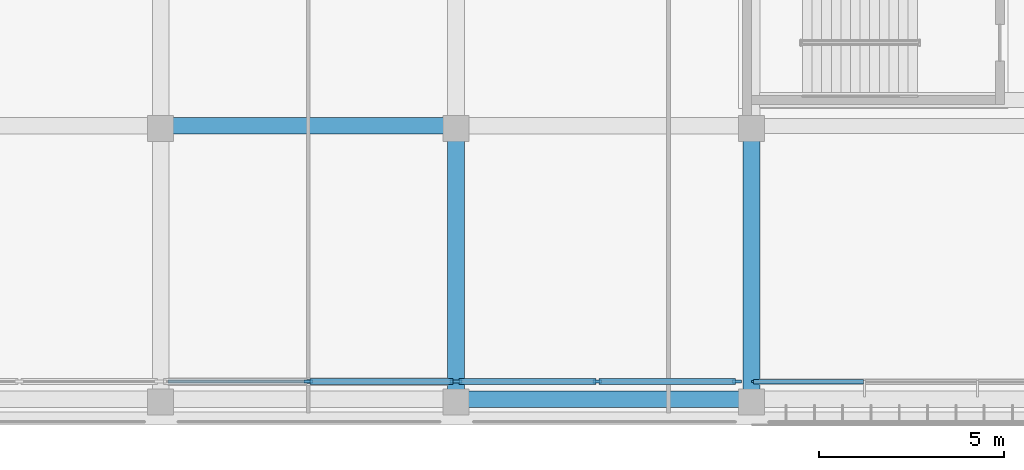
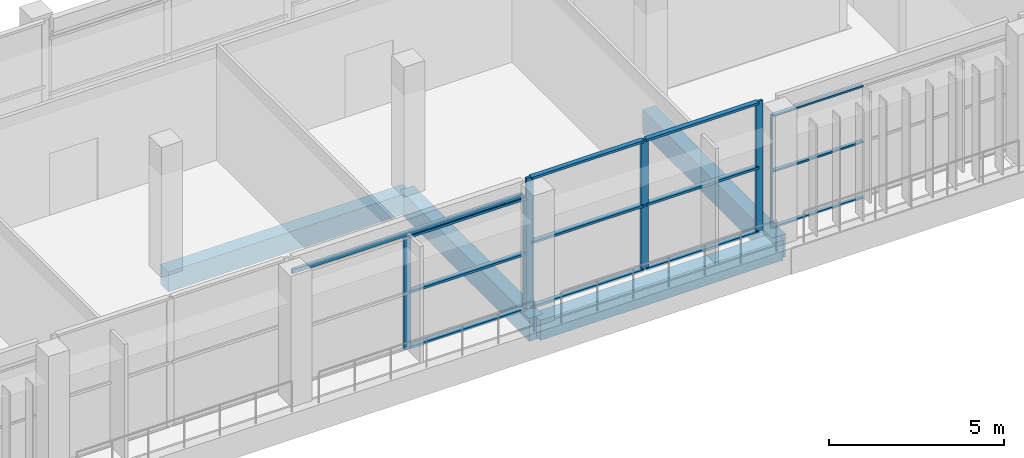
# One storey, part 8 of 46: 18 members, 5 beams, 3 elements without a shape of their own.
"""IFC4 building model written with IfcOpenShell, lengths in metres."""

from ifc_helpers import new_model, si_unit, direction, frame, origin, origin_2d, place, context, subcontext, project, spatial, rectangle, hollow_rectangle, extrude, material, material_profile, profile_set, type_object, element, aggregate, save


model = new_model("IFC4")

# Units and contexts
model_context = context("Model", 3, precision=1e-05, world=origin(), true_north=direction((0.0, 1.0)))
body_context = subcontext(model_context, "Body", "Model", "MODEL_VIEW")
ifc_project = project(units=[si_unit("LENGTHUNIT", "METRE"), si_unit("AREAUNIT", "SQUARE_METRE"), si_unit("VOLUMEUNIT", "CUBIC_METRE"), si_unit("PLANEANGLEUNIT", "RADIAN"), si_unit("MASSUNIT", "GRAM", prefix="KILO")], contexts=[model_context])

# Site, building, storey
site_placement = place(None, origin())
site = spatial("IfcSite", under=ifc_project, at=site_placement, CompositionType="ELEMENT")
building_placement = place(site_placement, origin())
building = spatial("IfcBuilding", under=site, at=building_placement, Name="Lantern Court Media Centre", CompositionType="ELEMENT")
storey_placement = place(building_placement, frame((0.0, 0.0, 28.800048828125)))
storey = spatial("IfcBuildingStorey", under=building, at=storey_placement, Name="L06", CompositionType="ELEMENT", Elevation=28.800048828125)

# Curtain wall, member
ifc_material_1 = material(Name="Curtain wall bay 3000")
curtain_wall_type_1 = type_object("IfcCurtainWallType", Name="Curtain wall bay 3000", PredefinedType="NOTDEFINED", material=ifc_material_1)
curtain_wall_1_placement = place(storey_placement, origin())
curtain_wall_1 = element("IfcCurtainWall", 1, at=curtain_wall_1_placement, inside=storey, type_object=curtain_wall_type_1, Name="Curtain wall S outer L06", PredefinedType="NOTDEFINED")
ifc_material_2 = material(Name="Anodised aluminium", Category="aluminium")
ifc_material_profile_1 = material_profile(ifc_material_2, rectangle(XDim=0.06005859375, YDim=0.06005859375, at=origin_2d()), Name="AL 60x60")
ifc_profile_set_1 = profile_set([ifc_material_profile_1], Name="Anodised aluminium")
member_type_1 = type_object("IfcMemberType", Name="Curtain wall mullion 60x60", PredefinedType="MULLION", material=ifc_profile_set_1)
member_1_placement = place(storey_placement, frame((64.030029296875, 43.14990234375, 0.0), z_axis=(0.0, 0.0, 1.0), x_axis=(0.0, 1.0, 0.0)))
member_1 = element("IfcMember", 2, at=member_1_placement, type_object=member_type_1, Name="CW1 mullion 1", PredefinedType="MULLION", context=body_context, shape_type="SweptSolid", body=[
    extrude(rectangle(XDim=0.06005859375, YDim=0.06005859375, at=origin_2d()), origin(), (0.0, 0.0, 1.0), 3.949951171875),
])

# Curtain wall, members
ifc_material_3 = material(Name="Curtain wall bay 4000")
curtain_wall_type_2 = type_object("IfcCurtainWallType", Name="Curtain wall bay 4000", PredefinedType="NOTDEFINED", material=ifc_material_3)
curtain_wall_2_placement = place(storey_placement, origin())
curtain_wall_2 = element("IfcCurtainWall", 3, at=curtain_wall_2_placement, inside=storey, type_object=curtain_wall_type_2, Name="Curtain wall S outer L06", PredefinedType="NOTDEFINED")
ifc_material_profile_2 = material_profile(ifc_material_2, rectangle(XDim=0.080078125, YDim=0.239990234375, at=origin_2d()), Name="AL 80x240")
ifc_profile_set_2 = profile_set([ifc_material_profile_2], Name="Anodised aluminium")
member_type_2 = type_object("IfcMemberType", Name="Curtain wall mullion 80x240", PredefinedType="MULLION", material=ifc_profile_set_2)
member_2_placement = place(storey_placement, frame((52.0, 43.14990234375, 0.0), z_axis=(0.0, 0.0, 1.0), x_axis=(0.0, 1.0, 0.0)))
member_2 = element("IfcMember", 4, at=member_2_placement, type_object=member_type_2, Name="CW3 mullion 2", PredefinedType="MULLION", context=body_context, shape_type="SweptSolid", body=[
    extrude(rectangle(XDim=0.080078125, YDim=0.239990234375, at=origin_2d()), origin(), (0.0, 0.0, 1.0), 3.949951171875),
])
member_3_placement = place(storey_placement, frame((55.9599609375, 43.14990234375, 0.0), z_axis=(0.0, 0.0, 1.0), x_axis=(0.0, 1.0, 0.0)))
member_3 = element("IfcMember", 5, at=member_3_placement, type_object=member_type_2, Name="CW3 mullion 3", PredefinedType="MULLION", context=body_context, shape_type="SweptSolid", body=[
    extrude(rectangle(XDim=0.080078125, YDim=0.239990234375, at=origin_2d()), origin(), (0.0, 0.0, 1.0), 3.949951171875),
])

curtain_wall_3_placement = place(storey_placement, origin())
curtain_wall_3 = element("IfcCurtainWall", 6, at=curtain_wall_3_placement, inside=storey, type_object=curtain_wall_type_2, Name="Curtain wall S outer L06", PredefinedType="NOTDEFINED")
member_4_placement = place(storey_placement, frame((56.0400390625, 43.14990234375, 0.0), z_axis=(0.0, 0.0, 1.0), x_axis=(0.0, 1.0, 0.0)))
member_4 = element("IfcMember", 7, at=member_4_placement, type_object=member_type_2, Name="CW3 mullion 1", PredefinedType="MULLION", context=body_context, shape_type="SweptSolid", body=[
    extrude(rectangle(XDim=0.080078125, YDim=0.239990234375, at=origin_2d()), origin(), (0.0, 0.0, 1.0), 4.579833984375),
])
member_5_placement = place(storey_placement, frame((59.824951171875, 43.14990234375, 0.0), z_axis=(0.0, 0.0, 1.0), x_axis=(0.0, 1.0, 0.0)))
member_5 = element("IfcMember", 8, at=member_5_placement, type_object=member_type_2, Name="CW3 mullion 2", PredefinedType="MULLION", context=body_context, shape_type="SweptSolid", body=[
    extrude(rectangle(XDim=0.080078125, YDim=0.239990234375, at=origin_2d()), origin(), (0.0, 0.0, 1.0), 4.579833984375),
])
member_6_placement = place(storey_placement, frame((63.610107421875, 43.14990234375, 0.0), z_axis=(0.0, 0.0, 1.0), x_axis=(0.0, 1.0, 0.0)))
member_6 = element("IfcMember", 9, at=member_6_placement, type_object=member_type_2, Name="CW3 mullion 3", PredefinedType="MULLION", context=body_context, shape_type="SweptSolid", body=[
    extrude(rectangle(XDim=0.080078125, YDim=0.239990234375, at=origin_2d()), origin(), (0.0, 0.0, 1.0), 4.579833984375),
])

# Member
ifc_material_profile_3 = material_profile(ifc_material_2, rectangle(XDim=0.159912109375, YDim=0.080078125, at=origin_2d()), Name="AL 80x160")
ifc_profile_set_3 = profile_set([ifc_material_profile_3], Name="Anodised aluminium")
member_type_3 = type_object("IfcMemberType", Name="Curtain wall transom 160x80", PredefinedType="USERDEFINED", material=ifc_profile_set_3)
member_7_placement = place(storey_placement, frame((52.0400390625, 43.14990234375, 0.0400390625), z_axis=(1.0, 0.0, 0.0), x_axis=(0.0, 1.0, 0.0)))
member_7 = element("IfcMember", 10, at=member_7_placement, type_object=member_type_3, Name="CW3 transom 2.1", ObjectType="TRANSOM", PredefinedType="USERDEFINED", context=body_context, shape_type="SweptSolid", body=[
    extrude(rectangle(XDim=0.159912109375, YDim=0.080078125, at=origin_2d()), origin(), (0.0, 0.0, 1.0), 3.8798828125),
])

member_8_placement = place(storey_placement, frame((52.0400390625, 43.14990234375, 1.974853515625), z_axis=(1.0, 0.0, 0.0), x_axis=(0.0, 1.0, 0.0)))
member_8 = element("IfcMember", 11, at=member_8_placement, type_object=member_type_3, Name="CW3 transom 2.2", ObjectType="TRANSOM", PredefinedType="USERDEFINED", context=body_context, shape_type="SweptSolid", body=[
    extrude(rectangle(XDim=0.159912109375, YDim=0.080078125, at=origin_2d()), origin(), (0.0, 0.0, 1.0), 3.8798828125),
])

member_9_placement = place(storey_placement, frame((52.0400390625, 43.14990234375, 3.909912109375), z_axis=(1.0, 0.0, 0.0), x_axis=(0.0, 1.0, 0.0)))
member_9 = element("IfcMember", 12, at=member_9_placement, type_object=member_type_3, Name="CW3 transom 2.3", ObjectType="TRANSOM", PredefinedType="USERDEFINED", context=body_context, shape_type="SweptSolid", body=[
    extrude(rectangle(XDim=0.159912109375, YDim=0.080078125, at=origin_2d()), origin(), (0.0, 0.0, 1.0), 3.8798828125),
])

aggregate(curtain_wall_2, [member_2, member_3, member_7, member_8, member_9])

member_10_placement = place(storey_placement, frame((56.080078125, 43.14990234375, 0.0400390625), z_axis=(1.0, 0.0, 0.0), x_axis=(0.0, 1.0, 0.0)))
member_10 = element("IfcMember", 13, at=member_10_placement, type_object=member_type_3, Name="CW3 transom 1.1", ObjectType="TRANSOM", PredefinedType="USERDEFINED", context=body_context, shape_type="SweptSolid", body=[
    extrude(rectangle(XDim=0.159912109375, YDim=0.080078125, at=origin_2d()), origin(), (0.0, 0.0, 1.0), 3.704833984375),
])

member_11_placement = place(storey_placement, frame((56.080078125, 43.14990234375, 2.2900390625), z_axis=(1.0, 0.0, 0.0), x_axis=(0.0, 1.0, 0.0)))
member_11 = element("IfcMember", 14, at=member_11_placement, type_object=member_type_3, Name="CW3 transom 1.2", ObjectType="TRANSOM", PredefinedType="USERDEFINED", context=body_context, shape_type="SweptSolid", body=[
    extrude(rectangle(XDim=0.159912109375, YDim=0.080078125, at=origin_2d()), origin(), (0.0, 0.0, 1.0), 3.704833984375),
])

member_12_placement = place(storey_placement, frame((56.080078125, 43.14990234375, 4.5400390625), z_axis=(1.0, 0.0, 0.0), x_axis=(0.0, 1.0, 0.0)))
member_12 = element("IfcMember", 15, at=member_12_placement, type_object=member_type_3, Name="CW3 transom 1.3", ObjectType="TRANSOM", PredefinedType="USERDEFINED", context=body_context, shape_type="SweptSolid", body=[
    extrude(rectangle(XDim=0.159912109375, YDim=0.080078125, at=origin_2d()), origin(), (0.0, 0.0, 1.0), 3.704833984375),
])

member_13_placement = place(storey_placement, frame((59.864990234375, 43.14990234375, 0.0400390625), z_axis=(1.0, 0.0, 0.0), x_axis=(0.0, 1.0, 0.0)))
member_13 = element("IfcMember", 16, at=member_13_placement, type_object=member_type_3, Name="CW3 transom 2.1", ObjectType="TRANSOM", PredefinedType="USERDEFINED", context=body_context, shape_type="SweptSolid", body=[
    extrude(rectangle(XDim=0.159912109375, YDim=0.080078125, at=origin_2d()), origin(), (0.0, 0.0, 1.0), 3.705078125),
])

member_14_placement = place(storey_placement, frame((59.864990234375, 43.14990234375, 2.2900390625), z_axis=(1.0, 0.0, 0.0), x_axis=(0.0, 1.0, 0.0)))
member_14 = element("IfcMember", 17, at=member_14_placement, type_object=member_type_3, Name="CW3 transom 2.2", ObjectType="TRANSOM", PredefinedType="USERDEFINED", context=body_context, shape_type="SweptSolid", body=[
    extrude(rectangle(XDim=0.159912109375, YDim=0.080078125, at=origin_2d()), origin(), (0.0, 0.0, 1.0), 3.705078125),
])

member_15_placement = place(storey_placement, frame((59.864990234375, 43.14990234375, 4.5400390625), z_axis=(1.0, 0.0, 0.0), x_axis=(0.0, 1.0, 0.0)))
member_15 = element("IfcMember", 18, at=member_15_placement, type_object=member_type_3, Name="CW3 transom 2.3", ObjectType="TRANSOM", PredefinedType="USERDEFINED", context=body_context, shape_type="SweptSolid", body=[
    extrude(rectangle(XDim=0.159912109375, YDim=0.080078125, at=origin_2d()), origin(), (0.0, 0.0, 1.0), 3.705078125),
])

aggregate(curtain_wall_3, [member_4, member_5, member_6, member_10, member_11, member_12, member_13, member_14, member_15])

ifc_material_profile_4 = material_profile(ifc_material_2, rectangle(XDim=0.1201171875, YDim=0.06005859375, at=origin_2d()), Name="AL 60x120")
ifc_profile_set_4 = profile_set([ifc_material_profile_4], Name="Anodised aluminium")
member_type_4 = type_object("IfcMemberType", Name="Curtain wall transom 60x120", PredefinedType="USERDEFINED", material=ifc_profile_set_4)
member_16_placement = place(storey_placement, frame((64.06005859375, 43.14990234375, 0.030029296875), z_axis=(1.0, 0.0, 0.0), x_axis=(0.0, 1.0, 0.0)))
member_16 = element("IfcMember", 19, at=member_16_placement, type_object=member_type_4, Name="CW1 transom 1.1", ObjectType="TRANSOM", PredefinedType="USERDEFINED", context=body_context, shape_type="SweptSolid", body=[
    extrude(rectangle(XDim=0.1201171875, YDim=0.06005859375, at=origin_2d()), origin(), (0.0, 0.0, 1.0), 2.969970703125),
])

member_17_placement = place(storey_placement, frame((64.06005859375, 43.14990234375, 1.974853515625), z_axis=(1.0, 0.0, 0.0), x_axis=(0.0, 1.0, 0.0)))
member_17 = element("IfcMember", 20, at=member_17_placement, type_object=member_type_4, Name="CW1 transom 1.2", ObjectType="TRANSOM", PredefinedType="USERDEFINED", context=body_context, shape_type="SweptSolid", body=[
    extrude(rectangle(XDim=0.1201171875, YDim=0.06005859375, at=origin_2d()), origin(), (0.0, 0.0, 1.0), 2.969970703125),
])

member_18_placement = place(storey_placement, frame((64.06005859375, 43.14990234375, 3.919921875), z_axis=(1.0, 0.0, 0.0), x_axis=(0.0, 1.0, 0.0)))
member_18 = element("IfcMember", 21, at=member_18_placement, type_object=member_type_4, Name="CW1 transom 1.3", ObjectType="TRANSOM", PredefinedType="USERDEFINED", context=body_context, shape_type="SweptSolid", body=[
    extrude(rectangle(XDim=0.1201171875, YDim=0.06005859375, at=origin_2d()), origin(), (0.0, 0.0, 1.0), 2.969970703125),
])

aggregate(curtain_wall_1, [member_1, member_16, member_17, member_18])

# Beams
ifc_material_4 = material(Name="Steel S355J2 (EN 10025-2)", Category="steel")
ifc_material_profile_5 = material_profile(ifc_material_4, hollow_rectangle(XDim=0.10009765625, YDim=0.14990234375, WallThickness=0.00634765625, InnerFilletRadius=0.00634765625, OuterFilletRadius=0.009521484375, at=origin_2d()), Name="Facade head lintel RHS 150x100x6.3")
ifc_profile_set_5 = profile_set([ifc_material_profile_5], Name="Steel S355J2 (EN 10025-2)")
beam_type_1 = type_object("IfcBeamType", Name="Facade head lintel RHS 150x100x6.3", PredefinedType="BEAM", material=ifc_profile_set_5)
beam_placement = place(storey_placement, frame((48.199951171875, 43.14990234375, 4.02490234375), z_axis=(1.0, 0.0, 0.0), x_axis=(0.0, 1.0, 0.0)))
element("IfcBeam", 22, at=beam_placement, inside=storey, type_object=beam_type_1, Name="Facade head lintel S L06", PredefinedType="BEAM", context=body_context, shape_type="SweptSolid", body=[
    extrude(hollow_rectangle(XDim=0.10009765625, YDim=0.14990234375, WallThickness=0.00634765625, InnerFilletRadius=0.00634765625, OuterFilletRadius=0.009521484375, at=origin_2d()), origin(), (0.0, 0.0, 1.0), 7.60009765625),
])
ifc_material_5 = material(Name="Concrete C35", Category="concrete")
ifc_material_profile_6 = material_profile(ifc_material_5, rectangle(XDim=0.449951171875, YDim=0.699951171875, at=origin_2d()), Name="RC 450x700")
ifc_profile_set_6 = profile_set([ifc_material_profile_6], Name="Concrete C35")
beam_type_2 = type_object("IfcBeamType", Name="RC BEAM 450x700", PredefinedType="BEAM", material=ifc_profile_set_6)
for number, where, z_axis, x_axis, name in (
    (23, (56.0, 42.6728515625, -0.35009765625), (1.0, 0.0, 0.0), (0.0, 1.0, 0.0), "LB-S-L06-0-4"),
    (24, (48.0, 50.072998046875, -0.35009765625), (1.0, 0.0, 0.0), (0.0, 1.0, 0.0), "LB-S-L06-1-3"),
):
    element("IfcBeam", number, at=place(storey_placement, frame(where, z_axis=z_axis, x_axis=x_axis)), inside=storey, type_object=beam_type_2, Name=name, PredefinedType="BEAM", context=body_context, shape_type="SweptSolid", body=[
        extrude(rectangle(XDim=0.449951171875, YDim=0.699951171875, at=origin_2d()), origin(), (0.0, 0.0, 1.0), 8.0),
    ])
ifc_material_profile_7 = material_profile(ifc_material_5, rectangle(XDim=0.449951171875, YDim=0.800048828125, at=origin_2d()), Name="RC 450x800")
ifc_profile_set_7 = profile_set([ifc_material_profile_7], Name="Concrete C35")
beam_type_3 = type_object("IfcBeamType", Name="RC BEAM 450x800", PredefinedType="BEAM", material=ifc_profile_set_7)
for number, where, z_axis, x_axis, name in (
    (25, (56.0, 42.683349609375, -0.400146484375), (0.0, 1.0, 0.0), (-1.0, 0.0, 0.0), "TB-S-L06-4-1"),
    (26, (64.0, 42.683349609375, -0.400146484375), (0.0, 1.0, 0.0), (-1.0, 0.0, 0.0), "TB-S-L06-5-1"),
):
    element("IfcBeam", number, at=place(storey_placement, frame(where, z_axis=z_axis, x_axis=x_axis)), inside=storey, type_object=beam_type_3, Name=name, PredefinedType="BEAM", context=body_context, shape_type="SweptSolid", body=[
        extrude(rectangle(XDim=0.449951171875, YDim=0.800048828125, at=origin_2d()), origin(), (0.0, 0.0, 1.0), 7.39990234375),
    ])

save(model, "model.ifc")
